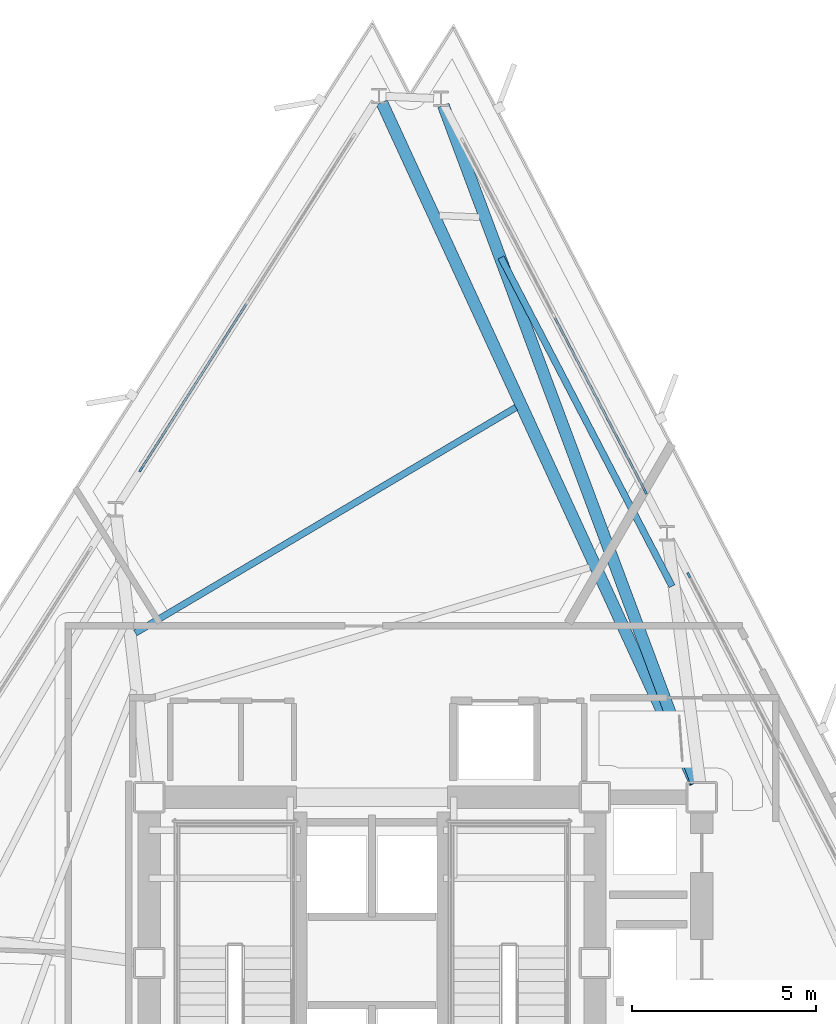
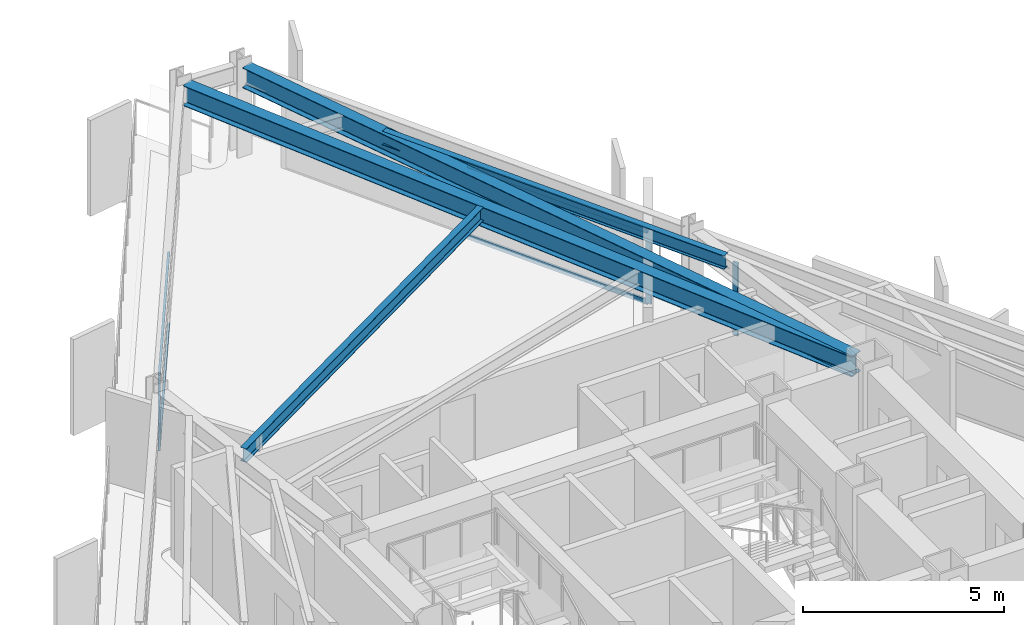
# One storey, part 4 of 12: 7 members, 4 beams, 3 elements without a shape of their own.
"""IFC4 building model written with IfcOpenShell, lengths in metres."""

from ifc_helpers import new_model, si_unit, direction, frame, origin, origin_2d, place, context, subcontext, project, spatial, rectangle, i_section, extrude, material, layer, layer_set, material_profile, profile_set, type_object, element, aggregate, save


model = new_model("IFC4")

# Units and contexts
model_context = context("Model", 3, precision=1e-05, world=origin(), true_north=direction((0.0, 1.0)))
body_context = subcontext(model_context, "Body", "Model", "MODEL_VIEW")
ifc_project = project(units=[si_unit("LENGTHUNIT", "METRE"), si_unit("AREAUNIT", "SQUARE_METRE"), si_unit("VOLUMEUNIT", "CUBIC_METRE"), si_unit("PLANEANGLEUNIT", "RADIAN"), si_unit("MASSUNIT", "GRAM", prefix="KILO")], contexts=[model_context])

# Site, building, storey
site_placement = place(None, origin())
site = spatial("IfcSite", under=ifc_project, at=site_placement, CompositionType="ELEMENT")
building_placement = place(site_placement, origin())
building = spatial("IfcBuilding", under=site, at=building_placement, Name="Rocaltana Carrier Exchange", CompositionType="ELEMENT")
storey_placement = place(building_placement, frame((0.0, 0.0, 135.0400390625)))
storey = spatial("IfcBuildingStorey", under=building, at=storey_placement, Name="L42", CompositionType="ELEMENT", Elevation=135.0400390625)

# Curtain wall, member
ifc_material_1 = material(Name="Aluminium 6063-T6", Category="aluminium")
ifc_layer = layer(ifc_material_1, 0.14990234375)
ifc_layer_set = layer_set([ifc_layer], Name="Aluminium 6063-T6")
curtain_wall_type = type_object("IfcCurtainWallType", Name="Mid-Tower Unitised Curtain Wall CW-03", PredefinedType="NOTDEFINED", material=ifc_layer_set)
curtain_wall_1_placement = place(storey_placement, origin())
curtain_wall_1 = element("IfcCurtainWall", 1, at=curtain_wall_1_placement, inside=storey, type_object=curtain_wall_type, Name="L42 CW-03 Run CW-L42-F1S2", PredefinedType="NOTDEFINED")
ifc_material_2 = material(Name="Aluminium 6063-T6", Category="aluminium")
ifc_material_profile_1 = material_profile(ifc_material_2, rectangle(XDim=0.06005859375, YDim=0.14990234375, at=origin_2d()), Name="AL-60X150")
ifc_profile_set_1 = profile_set([ifc_material_profile_1], Name="Aluminium 6063-T6")
member_type_1 = type_object("IfcMemberType", Name="CW-03 Mullion AL-60X150", PredefinedType="MULLION", material=ifc_profile_set_1)
member_1_placement = place(storey_placement, frame((8.60009765625, 10.531005859375, 0.0), z_axis=(0.0, 0.0, 1.0), x_axis=(-0.887011747812, -0.461746856235, 0.0)))
member_1 = element("IfcMember", 2, at=member_1_placement, type_object=member_type_1, Name="CW-03 mullion 3", PredefinedType="MULLION", context=body_context, shape_type="SweptSolid", body=[
    extrude(rectangle(XDim=0.06005859375, YDim=0.14990234375, at=origin_2d()), origin(), (0.0, 0.0, 1.0), 2.218017578125),
])
aggregate(curtain_wall_1, [member_1])

curtain_wall_2_placement = place(storey_placement, origin())
curtain_wall_2 = element("IfcCurtainWall", 3, at=curtain_wall_2_placement, inside=storey, type_object=curtain_wall_type, Name="L42 CW-03 Run CW-L42-F1S3", PredefinedType="NOTDEFINED")
member_2_placement = place(storey_placement, frame((7.41796875, 12.8017578125, 0.0), z_axis=(0.0, 0.0, 1.0), x_axis=(-0.887007955385, -0.461754141383, 0.0)))
member_2 = element("IfcMember", 4, at=member_2_placement, type_object=member_type_1, Name="CW-03 mullion 1", PredefinedType="MULLION", context=body_context, shape_type="SweptSolid", body=[
    extrude(rectangle(XDim=0.06005859375, YDim=0.14990234375, at=origin_2d()), origin(), (0.0, 0.0, 1.0), 2.218017578125),
])

curtain_wall_3_placement = place(storey_placement, origin())
curtain_wall_3 = element("IfcCurtainWall", 5, at=curtain_wall_3_placement, inside=storey, type_object=curtain_wall_type, Name="L42 CW-03 Run CW-L42-F2S1", PredefinedType="NOTDEFINED")
member_3_placement = place(storey_placement, frame((-6.27392578125, 13.3994140625, 0.0), z_axis=(0.0, 0.0, 1.0), x_axis=(0.843390685726, -0.537300801443, 0.0)))
member_3 = element("IfcMember", 6, at=member_3_placement, type_object=member_type_1, Name="CW-03 mullion 3", PredefinedType="MULLION", context=body_context, shape_type="SweptSolid", body=[
    extrude(rectangle(XDim=0.06005859375, YDim=0.14990234375, at=origin_2d()), origin(), (0.0, 0.0, 1.0), 2.218017578125),
])

# Member
ifc_material_3 = material(Name="Aluminium 6063-T6", Category="aluminium")
ifc_material_profile_2 = material_profile(ifc_material_3, rectangle(XDim=0.06005859375, YDim=0.14990234375, at=origin_2d()), Name="AL-60X150")
ifc_profile_set_2 = profile_set([ifc_material_profile_2], Name="Aluminium 6063-T6")
member_type_2 = type_object("IfcMemberType", Name="CW-03 Transom AL-60X150", PredefinedType="USERDEFINED", material=ifc_profile_set_2)
member_4_placement = place(storey_placement, frame((7.404052734375, 12.828369140625, 0.030029296875), z_axis=(-0.461756588365, 0.887006681543, 0.0), x_axis=(-0.887006681543, -0.461756588365, 0.0)))
member_4 = element("IfcMember", 7, at=member_4_placement, type_object=member_type_2, Name="CW-03 transom 1.1", ObjectType="TRANSOM", PredefinedType="USERDEFINED", context=body_context, shape_type="SweptSolid", body=[
    extrude(rectangle(XDim=0.06005859375, YDim=0.14990234375, at=origin_2d()), origin(), (0.0, 0.0, 1.0), 5.31005859375),
])

member_5_placement = place(storey_placement, frame((7.404052734375, 12.828369140625, 2.18798828125), z_axis=(-0.461756588365, 0.887006681543, 0.0), x_axis=(-0.887006681543, -0.461756588365, 0.0)))
member_5 = element("IfcMember", 8, at=member_5_placement, type_object=member_type_2, Name="CW-03 transom 1.2", ObjectType="TRANSOM", PredefinedType="USERDEFINED", context=body_context, shape_type="SweptSolid", body=[
    extrude(rectangle(XDim=0.06005859375, YDim=0.14990234375, at=origin_2d()), origin(), (0.0, 0.0, 1.0), 5.31005859375),
])

aggregate(curtain_wall_2, [member_2, member_4, member_5])

member_6_placement = place(storey_placement, frame((-3.40478515625, 17.903076171875, 0.030029296875), z_axis=(-0.537306810176, -0.843386857698, 0.0), x_axis=(0.843386857698, -0.537306810176, 0.0)))
member_6 = element("IfcMember", 9, at=member_6_placement, type_object=member_type_2, Name="CW-03 transom 2.1", ObjectType="TRANSOM", PredefinedType="USERDEFINED", context=body_context, shape_type="SweptSolid", body=[
    extrude(rectangle(XDim=0.06005859375, YDim=0.14990234375, at=origin_2d()), origin(), (0.0, 0.0, 1.0), 5.309814453125),
])

member_7_placement = place(storey_placement, frame((-3.40478515625, 17.903076171875, 2.18798828125), z_axis=(-0.537306810176, -0.843386857698, 0.0), x_axis=(0.843386857698, -0.537306810176, 0.0)))
member_7 = element("IfcMember", 10, at=member_7_placement, type_object=member_type_2, Name="CW-03 transom 2.2", ObjectType="TRANSOM", PredefinedType="USERDEFINED", context=body_context, shape_type="SweptSolid", body=[
    extrude(rectangle(XDim=0.06005859375, YDim=0.14990234375, at=origin_2d()), origin(), (0.0, 0.0, 1.0), 5.309814453125),
])

aggregate(curtain_wall_3, [member_3, member_6, member_7])

# Beams
ifc_material_4 = material(Name="Steel S355", Category="steel")
ifc_material_profile_3 = material_profile(ifc_material_4, i_section(OverallWidth=0.179931640625, OverallDepth=0.4130859375, WebThickness=0.009765625, FlangeThickness=0.01611328125, FilletRadius=0.012939453125, at=origin_2d()), Name="W16X50")
ifc_profile_set_3 = profile_set([ifc_material_profile_3], Name="Steel S355")
beam_type_1 = type_object("IfcBeamType", Name="Floor Joist W16X50", PredefinedType="JOIST", material=ifc_profile_set_3)
beam_1_placement = place(storey_placement, frame((8.14404296875, 10.22802734375, 2.58154296875), z_axis=(-0.461750708655, 0.887009742368, 0.0), x_axis=(-0.887009742368, -0.461750708655, 0.0)))
element("IfcBeam", 11, at=beam_1_placement, inside=storey, type_object=beam_type_1, Name="FJ-L42-03-3", PredefinedType="JOIST", context=body_context, shape_type="SweptSolid", body=[
    extrude(i_section(OverallWidth=0.179931640625, OverallDepth=0.4130859375, WebThickness=0.009765625, FlangeThickness=0.01611328125, FilletRadius=0.012939453125, at=origin_2d()), origin(), (0.0, 0.0, 1.0), 10.062255859375),
])
beam_2_placement = place(storey_placement, frame((3.906982421875, 15.081298828125, 2.58154296875), z_axis=(-0.86032256877, -0.509750014876, 0.0), x_axis=(0.509750014876, -0.86032256877, 0.0)))
element("IfcBeam", 12, at=beam_2_placement, inside=storey, type_object=beam_type_1, Name="FJ-L42-05-2", PredefinedType="JOIST", context=body_context, shape_type="SweptSolid", body=[
    extrude(i_section(OverallWidth=0.179931640625, OverallDepth=0.4130859375, WebThickness=0.009765625, FlangeThickness=0.01611328125, FilletRadius=0.012939453125, at=origin_2d()), origin(), (0.0, 0.0, 1.0), 12.010986328125),
])
ifc_material_5 = material(Name="Steel S355", Category="steel")
ifc_material_profile_4 = material_profile(ifc_material_5, i_section(OverallWidth=0.323974609375, OverallDepth=0.611083984375, WebThickness=0.0126953125, FlangeThickness=0.01904296875, FilletRadius=0.01611328125, at=origin_2d()), Name="W24X104")
ifc_profile_set_4 = profile_set([ifc_material_profile_4], Name="Steel S355")
beam_type_2 = type_object("IfcBeamType", Name="Radial Girder W24X104", PredefinedType="BEAM", material=ifc_profile_set_4)
beam_3_placement = place(storey_placement, frame((8.80419921875, 4.890625, 2.482421875), z_axis=(-0.349877431588, 0.936795486147, 0.0), x_axis=(-0.936795486147, -0.349877431588, 0.0)))
element("IfcBeam", 13, at=beam_3_placement, inside=storey, type_object=beam_type_2, Name="RG-L42-04", PredefinedType="BEAM", context=body_context, shape_type="SweptSolid", body=[
    extrude(i_section(OverallWidth=0.323974609375, OverallDepth=0.611083984375, WebThickness=0.0126953125, FlangeThickness=0.01904296875, FilletRadius=0.01611328125, at=origin_2d()), origin(), (0.0, 0.0, 1.0), 19.630859375),
])
beam_4_placement = place(storey_placement, frame((8.775634765625, 4.87890625, 2.482421875), z_axis=(-0.418241517275, 0.908335859265, 0.0), x_axis=(-0.908335859265, -0.418241517275, 0.0)))
element("IfcBeam", 14, at=beam_4_placement, inside=storey, type_object=beam_type_2, Name="RG-L42-05", PredefinedType="BEAM", context=body_context, shape_type="SweptSolid", body=[
    extrude(i_section(OverallWidth=0.323974609375, OverallDepth=0.611083984375, WebThickness=0.0126953125, FlangeThickness=0.01904296875, FilletRadius=0.01611328125, at=origin_2d()), origin(), (0.0, 0.0, 1.0), 20.345947265625),
])

save(model, "model.ifc")
